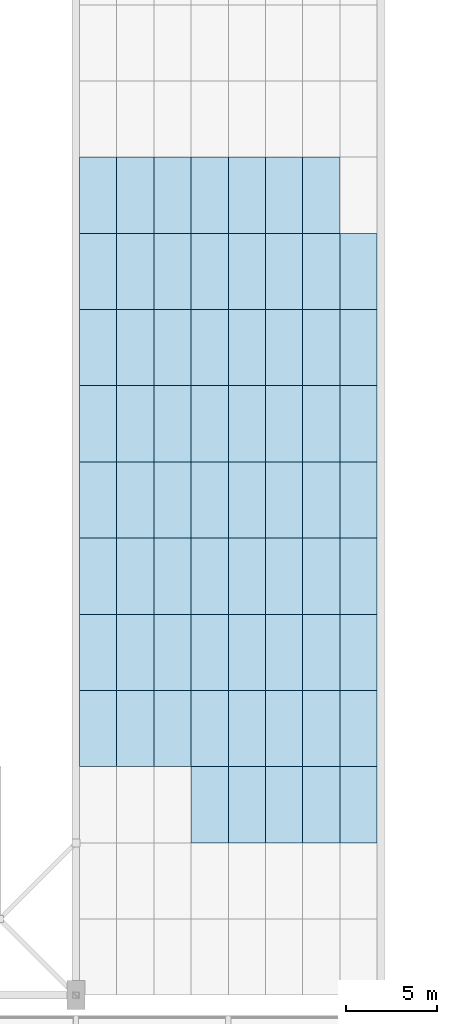
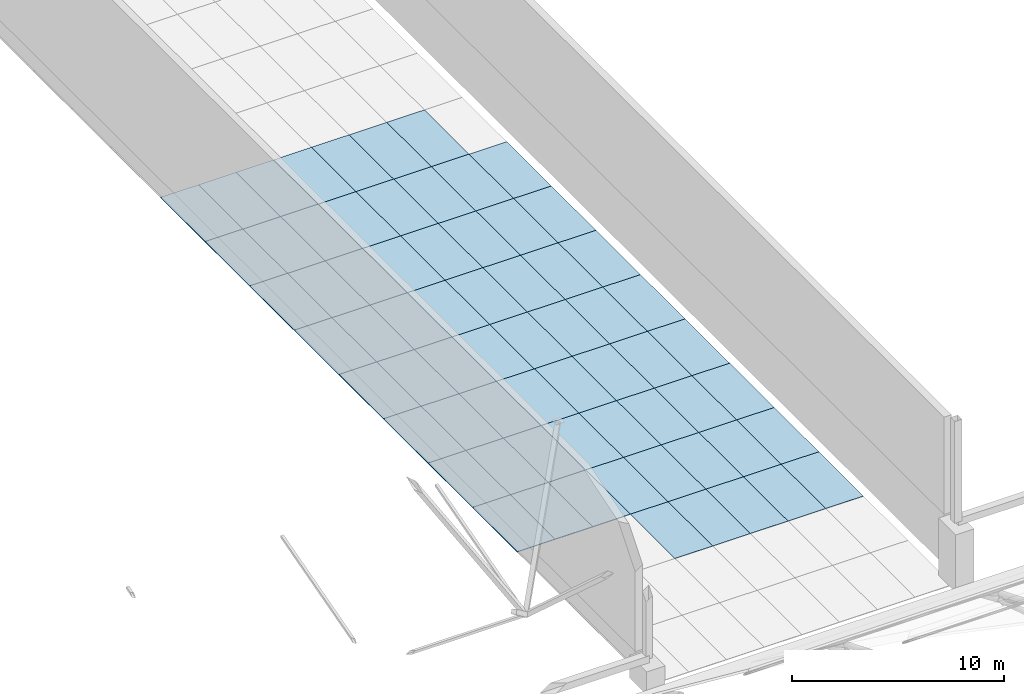
# One storey, part 101 of 163: 68 slabs.
"""IFC4 building model written with IfcOpenShell, lengths in metres."""

from ifc_helpers import new_model, si_unit, direction, frame, origin, place, context, subcontext, project, spatial, polyline, outline, extrude, material, layer, layer_set, type_object, element, save


model = new_model("IFC4")

# Units and contexts
model_context = context("Model", 3, precision=1e-05, world=origin(), true_north=direction((0.0, 1.0)))
body_context = subcontext(model_context, "Body", "Model", "MODEL_VIEW")
ifc_project = project(units=[si_unit("LENGTHUNIT", "METRE"), si_unit("AREAUNIT", "SQUARE_METRE"), si_unit("VOLUMEUNIT", "CUBIC_METRE"), si_unit("PLANEANGLEUNIT", "RADIAN"), si_unit("MASSUNIT", "GRAM", prefix="KILO")], contexts=[model_context])

# Site, building, storey
site_placement = place(None, origin())
site = spatial("IfcSite", under=ifc_project, at=site_placement, CompositionType="ELEMENT")
building_placement = place(site_placement, origin())
building = spatial("IfcBuilding", under=site, at=building_placement, Name="Rain Tree Exposition and Congress Centre", CompositionType="ELEMENT")
storey_placement = place(building_placement, frame((0.0, 0.0, 10.5)))
storey = spatial("IfcBuildingStorey", under=building, at=storey_placement, Name="L02", CompositionType="ELEMENT", Elevation=10.5)

# Slabs
ifc_material = material(Name="Glazing in S355 steel frame, S355J2H tubes", Category="steel")
ifc_layer = layer(ifc_material, 0.0400390625)
ifc_layer_set = layer_set([ifc_layer], Name="Glazing in S355 steel frame, S355J2H tubes")
slab_type = type_object("IfcSlabType", Name="Link roof glass panel 40", PredefinedType="ROOF", material=ifc_layer_set)
slab_1_placement = place(storey_placement, frame((0.0, 0.0, -0.185791015625)))
element("IfcSlab", 1, at=slab_1_placement, inside=storey, type_object=slab_type, Name="Link roof glass panel 20", PredefinedType="ROOF", context=body_context, shape_type="SweptSolid", body=[
    extrude(outline(polyline([(132.35009765625, 109.199951171875), (134.39990234375, 109.199951171875), (134.39990234375, 113.39990234375), (132.35009765625, 113.39990234375), (132.35009765625, 109.199951171875)])), origin(), (0.0, 0.0, 1.0), 0.0400390625),
])
slab_2_placement = place(storey_placement, frame((0.0, 0.0, -0.185791015625)))
element("IfcSlab", 2, at=slab_2_placement, inside=storey, type_object=slab_type, Name="Link roof glass panel 21", PredefinedType="ROOF", context=body_context, shape_type="SweptSolid", body=[
    extrude(outline(polyline([(134.39990234375, 109.199951171875), (136.449951171875, 109.199951171875), (136.449951171875, 113.39990234375), (134.39990234375, 113.39990234375), (134.39990234375, 109.199951171875)])), origin(), (0.0, 0.0, 1.0), 0.0400390625),
])
slab_3_placement = place(storey_placement, frame((0.0, 0.0, -0.185791015625)))
element("IfcSlab", 3, at=slab_3_placement, inside=storey, type_object=slab_type, Name="Link roof glass panel 22", PredefinedType="ROOF", context=body_context, shape_type="SweptSolid", body=[
    extrude(outline(polyline([(136.449951171875, 109.199951171875), (138.5, 109.199951171875), (138.5, 113.39990234375), (136.449951171875, 113.39990234375), (136.449951171875, 109.199951171875)])), origin(), (0.0, 0.0, 1.0), 0.0400390625),
])
slab_4_placement = place(storey_placement, frame((0.0, 0.0, -0.185791015625)))
element("IfcSlab", 4, at=slab_4_placement, inside=storey, type_object=slab_type, Name="Link roof glass panel 23", PredefinedType="ROOF", context=body_context, shape_type="SweptSolid", body=[
    extrude(outline(polyline([(138.5, 109.199951171875), (140.550048828125, 109.199951171875), (140.550048828125, 113.39990234375), (138.5, 113.39990234375), (138.5, 109.199951171875)])), origin(), (0.0, 0.0, 1.0), 0.0400390625),
])
slab_5_placement = place(storey_placement, frame((0.0, 0.0, -0.185791015625)))
element("IfcSlab", 5, at=slab_5_placement, inside=storey, type_object=slab_type, Name="Link roof glass panel 24", PredefinedType="ROOF", context=body_context, shape_type="SweptSolid", body=[
    extrude(outline(polyline([(140.550048828125, 109.199951171875), (142.60009765625, 109.199951171875), (142.60009765625, 113.39990234375), (140.550048828125, 113.39990234375), (140.550048828125, 109.199951171875)])), origin(), (0.0, 0.0, 1.0), 0.0400390625),
])
slab_6_placement = place(storey_placement, frame((0.0, 0.0, -0.185791015625)))
element("IfcSlab", 6, at=slab_6_placement, inside=storey, type_object=slab_type, Name="Link roof glass panel 25", PredefinedType="ROOF", context=body_context, shape_type="SweptSolid", body=[
    extrude(outline(polyline([(126.199951171875, 113.39990234375), (128.25, 113.39990234375), (128.25, 117.60009765625), (126.199951171875, 117.60009765625), (126.199951171875, 113.39990234375)])), origin(), (0.0, 0.0, 1.0), 0.0400390625),
])
slab_7_placement = place(storey_placement, frame((0.0, 0.0, -0.185791015625)))
element("IfcSlab", 7, at=slab_7_placement, inside=storey, type_object=slab_type, Name="Link roof glass panel 26", PredefinedType="ROOF", context=body_context, shape_type="SweptSolid", body=[
    extrude(outline(polyline([(128.25, 113.39990234375), (130.300048828125, 113.39990234375), (130.300048828125, 117.60009765625), (128.25, 117.60009765625), (128.25, 113.39990234375)])), origin(), (0.0, 0.0, 1.0), 0.0400390625),
])
slab_8_placement = place(storey_placement, frame((0.0, 0.0, -0.185791015625)))
element("IfcSlab", 8, at=slab_8_placement, inside=storey, type_object=slab_type, Name="Link roof glass panel 27", PredefinedType="ROOF", context=body_context, shape_type="SweptSolid", body=[
    extrude(outline(polyline([(130.300048828125, 113.39990234375), (132.35009765625, 113.39990234375), (132.35009765625, 117.60009765625), (130.300048828125, 117.60009765625), (130.300048828125, 113.39990234375)])), origin(), (0.0, 0.0, 1.0), 0.0400390625),
])
slab_9_placement = place(storey_placement, frame((0.0, 0.0, -0.185791015625)))
element("IfcSlab", 9, at=slab_9_placement, inside=storey, type_object=slab_type, Name="Link roof glass panel 28", PredefinedType="ROOF", context=body_context, shape_type="SweptSolid", body=[
    extrude(outline(polyline([(132.35009765625, 113.39990234375), (134.39990234375, 113.39990234375), (134.39990234375, 117.60009765625), (132.35009765625, 117.60009765625), (132.35009765625, 113.39990234375)])), origin(), (0.0, 0.0, 1.0), 0.0400390625),
])
slab_10_placement = place(storey_placement, frame((0.0, 0.0, -0.185791015625)))
element("IfcSlab", 10, at=slab_10_placement, inside=storey, type_object=slab_type, Name="Link roof glass panel 29", PredefinedType="ROOF", context=body_context, shape_type="SweptSolid", body=[
    extrude(outline(polyline([(134.39990234375, 113.39990234375), (136.449951171875, 113.39990234375), (136.449951171875, 117.60009765625), (134.39990234375, 117.60009765625), (134.39990234375, 113.39990234375)])), origin(), (0.0, 0.0, 1.0), 0.0400390625),
])
slab_11_placement = place(storey_placement, frame((0.0, 0.0, -0.185791015625)))
element("IfcSlab", 11, at=slab_11_placement, inside=storey, type_object=slab_type, Name="Link roof glass panel 30", PredefinedType="ROOF", context=body_context, shape_type="SweptSolid", body=[
    extrude(outline(polyline([(136.449951171875, 113.39990234375), (138.5, 113.39990234375), (138.5, 117.60009765625), (136.449951171875, 117.60009765625), (136.449951171875, 113.39990234375)])), origin(), (0.0, 0.0, 1.0), 0.0400390625),
])
slab_12_placement = place(storey_placement, frame((0.0, 0.0, -0.185791015625)))
element("IfcSlab", 12, at=slab_12_placement, inside=storey, type_object=slab_type, Name="Link roof glass panel 31", PredefinedType="ROOF", context=body_context, shape_type="SweptSolid", body=[
    extrude(outline(polyline([(138.5, 113.39990234375), (140.550048828125, 113.39990234375), (140.550048828125, 117.60009765625), (138.5, 117.60009765625), (138.5, 113.39990234375)])), origin(), (0.0, 0.0, 1.0), 0.0400390625),
])
slab_13_placement = place(storey_placement, frame((0.0, 0.0, -0.185791015625)))
element("IfcSlab", 13, at=slab_13_placement, inside=storey, type_object=slab_type, Name="Link roof glass panel 32", PredefinedType="ROOF", context=body_context, shape_type="SweptSolid", body=[
    extrude(outline(polyline([(140.550048828125, 113.39990234375), (142.60009765625, 113.39990234375), (142.60009765625, 117.60009765625), (140.550048828125, 117.60009765625), (140.550048828125, 113.39990234375)])), origin(), (0.0, 0.0, 1.0), 0.0400390625),
])
slab_14_placement = place(storey_placement, frame((0.0, 0.0, -0.185791015625)))
element("IfcSlab", 14, at=slab_14_placement, inside=storey, type_object=slab_type, Name="Link roof glass panel 33", PredefinedType="ROOF", context=body_context, shape_type="SweptSolid", body=[
    extrude(outline(polyline([(126.199951171875, 117.60009765625), (128.25, 117.60009765625), (128.25, 121.800048828125), (126.199951171875, 121.800048828125), (126.199951171875, 117.60009765625)])), origin(), (0.0, 0.0, 1.0), 0.0400390625),
])
slab_15_placement = place(storey_placement, frame((0.0, 0.0, -0.185791015625)))
element("IfcSlab", 15, at=slab_15_placement, inside=storey, type_object=slab_type, Name="Link roof glass panel 34", PredefinedType="ROOF", context=body_context, shape_type="SweptSolid", body=[
    extrude(outline(polyline([(128.25, 117.60009765625), (130.300048828125, 117.60009765625), (130.300048828125, 121.800048828125), (128.25, 121.800048828125), (128.25, 117.60009765625)])), origin(), (0.0, 0.0, 1.0), 0.0400390625),
])
slab_16_placement = place(storey_placement, frame((0.0, 0.0, -0.185791015625)))
element("IfcSlab", 16, at=slab_16_placement, inside=storey, type_object=slab_type, Name="Link roof glass panel 35", PredefinedType="ROOF", context=body_context, shape_type="SweptSolid", body=[
    extrude(outline(polyline([(130.300048828125, 117.60009765625), (132.35009765625, 117.60009765625), (132.35009765625, 121.800048828125), (130.300048828125, 121.800048828125), (130.300048828125, 117.60009765625)])), origin(), (0.0, 0.0, 1.0), 0.0400390625),
])
slab_17_placement = place(storey_placement, frame((0.0, 0.0, -0.185791015625)))
element("IfcSlab", 17, at=slab_17_placement, inside=storey, type_object=slab_type, Name="Link roof glass panel 36", PredefinedType="ROOF", context=body_context, shape_type="SweptSolid", body=[
    extrude(outline(polyline([(132.35009765625, 117.60009765625), (134.39990234375, 117.60009765625), (134.39990234375, 121.800048828125), (132.35009765625, 121.800048828125), (132.35009765625, 117.60009765625)])), origin(), (0.0, 0.0, 1.0), 0.0400390625),
])
slab_18_placement = place(storey_placement, frame((0.0, 0.0, -0.185791015625)))
element("IfcSlab", 18, at=slab_18_placement, inside=storey, type_object=slab_type, Name="Link roof glass panel 37", PredefinedType="ROOF", context=body_context, shape_type="SweptSolid", body=[
    extrude(outline(polyline([(134.39990234375, 117.60009765625), (136.449951171875, 117.60009765625), (136.449951171875, 121.800048828125), (134.39990234375, 121.800048828125), (134.39990234375, 117.60009765625)])), origin(), (0.0, 0.0, 1.0), 0.0400390625),
])
slab_19_placement = place(storey_placement, frame((0.0, 0.0, -0.185791015625)))
element("IfcSlab", 19, at=slab_19_placement, inside=storey, type_object=slab_type, Name="Link roof glass panel 38", PredefinedType="ROOF", context=body_context, shape_type="SweptSolid", body=[
    extrude(outline(polyline([(136.449951171875, 117.60009765625), (138.5, 117.60009765625), (138.5, 121.800048828125), (136.449951171875, 121.800048828125), (136.449951171875, 117.60009765625)])), origin(), (0.0, 0.0, 1.0), 0.0400390625),
])
slab_20_placement = place(storey_placement, frame((0.0, 0.0, -0.185791015625)))
element("IfcSlab", 20, at=slab_20_placement, inside=storey, type_object=slab_type, Name="Link roof glass panel 39", PredefinedType="ROOF", context=body_context, shape_type="SweptSolid", body=[
    extrude(outline(polyline([(138.5, 117.60009765625), (140.550048828125, 117.60009765625), (140.550048828125, 121.800048828125), (138.5, 121.800048828125), (138.5, 117.60009765625)])), origin(), (0.0, 0.0, 1.0), 0.0400390625),
])
slab_21_placement = place(storey_placement, frame((0.0, 0.0, -0.185791015625)))
element("IfcSlab", 21, at=slab_21_placement, inside=storey, type_object=slab_type, Name="Link roof glass panel 40", PredefinedType="ROOF", context=body_context, shape_type="SweptSolid", body=[
    extrude(outline(polyline([(140.550048828125, 117.60009765625), (142.60009765625, 117.60009765625), (142.60009765625, 121.800048828125), (140.550048828125, 121.800048828125), (140.550048828125, 117.60009765625)])), origin(), (0.0, 0.0, 1.0), 0.0400390625),
])
slab_22_placement = place(storey_placement, frame((0.0, 0.0, -0.185791015625)))
element("IfcSlab", 22, at=slab_22_placement, inside=storey, type_object=slab_type, Name="Link roof glass panel 41", PredefinedType="ROOF", context=body_context, shape_type="SweptSolid", body=[
    extrude(outline(polyline([(126.199951171875, 121.800048828125), (128.25, 121.800048828125), (128.25, 126.0), (126.199951171875, 126.0), (126.199951171875, 121.800048828125)])), origin(), (0.0, 0.0, 1.0), 0.0400390625),
])
slab_23_placement = place(storey_placement, frame((0.0, 0.0, -0.185791015625)))
element("IfcSlab", 23, at=slab_23_placement, inside=storey, type_object=slab_type, Name="Link roof glass panel 42", PredefinedType="ROOF", context=body_context, shape_type="SweptSolid", body=[
    extrude(outline(polyline([(128.25, 121.800048828125), (130.300048828125, 121.800048828125), (130.300048828125, 126.0), (128.25, 126.0), (128.25, 121.800048828125)])), origin(), (0.0, 0.0, 1.0), 0.0400390625),
])
slab_24_placement = place(storey_placement, frame((0.0, 0.0, -0.185791015625)))
element("IfcSlab", 24, at=slab_24_placement, inside=storey, type_object=slab_type, Name="Link roof glass panel 43", PredefinedType="ROOF", context=body_context, shape_type="SweptSolid", body=[
    extrude(outline(polyline([(130.300048828125, 121.800048828125), (132.35009765625, 121.800048828125), (132.35009765625, 126.0), (130.300048828125, 126.0), (130.300048828125, 121.800048828125)])), origin(), (0.0, 0.0, 1.0), 0.0400390625),
])
slab_25_placement = place(storey_placement, frame((0.0, 0.0, -0.185791015625)))
element("IfcSlab", 25, at=slab_25_placement, inside=storey, type_object=slab_type, Name="Link roof glass panel 44", PredefinedType="ROOF", context=body_context, shape_type="SweptSolid", body=[
    extrude(outline(polyline([(132.35009765625, 121.800048828125), (134.39990234375, 121.800048828125), (134.39990234375, 126.0), (132.35009765625, 126.0), (132.35009765625, 121.800048828125)])), origin(), (0.0, 0.0, 1.0), 0.0400390625),
])
slab_26_placement = place(storey_placement, frame((0.0, 0.0, -0.185791015625)))
element("IfcSlab", 26, at=slab_26_placement, inside=storey, type_object=slab_type, Name="Link roof glass panel 45", PredefinedType="ROOF", context=body_context, shape_type="SweptSolid", body=[
    extrude(outline(polyline([(134.39990234375, 121.800048828125), (136.449951171875, 121.800048828125), (136.449951171875, 126.0), (134.39990234375, 126.0), (134.39990234375, 121.800048828125)])), origin(), (0.0, 0.0, 1.0), 0.0400390625),
])
slab_27_placement = place(storey_placement, frame((0.0, 0.0, -0.185791015625)))
element("IfcSlab", 27, at=slab_27_placement, inside=storey, type_object=slab_type, Name="Link roof glass panel 46", PredefinedType="ROOF", context=body_context, shape_type="SweptSolid", body=[
    extrude(outline(polyline([(136.449951171875, 121.800048828125), (138.5, 121.800048828125), (138.5, 126.0), (136.449951171875, 126.0), (136.449951171875, 121.800048828125)])), origin(), (0.0, 0.0, 1.0), 0.0400390625),
])
slab_28_placement = place(storey_placement, frame((0.0, 0.0, -0.185791015625)))
element("IfcSlab", 28, at=slab_28_placement, inside=storey, type_object=slab_type, Name="Link roof glass panel 47", PredefinedType="ROOF", context=body_context, shape_type="SweptSolid", body=[
    extrude(outline(polyline([(138.5, 121.800048828125), (140.550048828125, 121.800048828125), (140.550048828125, 126.0), (138.5, 126.0), (138.5, 121.800048828125)])), origin(), (0.0, 0.0, 1.0), 0.0400390625),
])
slab_29_placement = place(storey_placement, frame((0.0, 0.0, -0.185791015625)))
element("IfcSlab", 29, at=slab_29_placement, inside=storey, type_object=slab_type, Name="Link roof glass panel 48", PredefinedType="ROOF", context=body_context, shape_type="SweptSolid", body=[
    extrude(outline(polyline([(140.550048828125, 121.800048828125), (142.60009765625, 121.800048828125), (142.60009765625, 126.0), (140.550048828125, 126.0), (140.550048828125, 121.800048828125)])), origin(), (0.0, 0.0, 1.0), 0.0400390625),
])
slab_30_placement = place(storey_placement, frame((0.0, 0.0, -0.185791015625)))
element("IfcSlab", 30, at=slab_30_placement, inside=storey, type_object=slab_type, Name="Link roof glass panel 49", PredefinedType="ROOF", context=body_context, shape_type="SweptSolid", body=[
    extrude(outline(polyline([(126.199951171875, 126.0), (128.25, 126.0), (128.25, 130.199951171875), (126.199951171875, 130.199951171875), (126.199951171875, 126.0)])), origin(), (0.0, 0.0, 1.0), 0.0400390625),
])
slab_31_placement = place(storey_placement, frame((0.0, 0.0, -0.185791015625)))
element("IfcSlab", 31, at=slab_31_placement, inside=storey, type_object=slab_type, Name="Link roof glass panel 50", PredefinedType="ROOF", context=body_context, shape_type="SweptSolid", body=[
    extrude(outline(polyline([(128.25, 126.0), (130.300048828125, 126.0), (130.300048828125, 130.199951171875), (128.25, 130.199951171875), (128.25, 126.0)])), origin(), (0.0, 0.0, 1.0), 0.0400390625),
])
slab_32_placement = place(storey_placement, frame((0.0, 0.0, -0.185791015625)))
element("IfcSlab", 32, at=slab_32_placement, inside=storey, type_object=slab_type, Name="Link roof glass panel 51", PredefinedType="ROOF", context=body_context, shape_type="SweptSolid", body=[
    extrude(outline(polyline([(130.300048828125, 126.0), (132.35009765625, 126.0), (132.35009765625, 130.199951171875), (130.300048828125, 130.199951171875), (130.300048828125, 126.0)])), origin(), (0.0, 0.0, 1.0), 0.0400390625),
])
slab_33_placement = place(storey_placement, frame((0.0, 0.0, -0.185791015625)))
element("IfcSlab", 33, at=slab_33_placement, inside=storey, type_object=slab_type, Name="Link roof glass panel 52", PredefinedType="ROOF", context=body_context, shape_type="SweptSolid", body=[
    extrude(outline(polyline([(132.35009765625, 126.0), (134.39990234375, 126.0), (134.39990234375, 130.199951171875), (132.35009765625, 130.199951171875), (132.35009765625, 126.0)])), origin(), (0.0, 0.0, 1.0), 0.0400390625),
])
slab_34_placement = place(storey_placement, frame((0.0, 0.0, -0.185791015625)))
element("IfcSlab", 34, at=slab_34_placement, inside=storey, type_object=slab_type, Name="Link roof glass panel 53", PredefinedType="ROOF", context=body_context, shape_type="SweptSolid", body=[
    extrude(outline(polyline([(134.39990234375, 126.0), (136.449951171875, 126.0), (136.449951171875, 130.199951171875), (134.39990234375, 130.199951171875), (134.39990234375, 126.0)])), origin(), (0.0, 0.0, 1.0), 0.0400390625),
])
slab_35_placement = place(storey_placement, frame((0.0, 0.0, -0.185791015625)))
element("IfcSlab", 35, at=slab_35_placement, inside=storey, type_object=slab_type, Name="Link roof glass panel 54", PredefinedType="ROOF", context=body_context, shape_type="SweptSolid", body=[
    extrude(outline(polyline([(136.449951171875, 126.0), (138.5, 126.0), (138.5, 130.199951171875), (136.449951171875, 130.199951171875), (136.449951171875, 126.0)])), origin(), (0.0, 0.0, 1.0), 0.0400390625),
])
slab_36_placement = place(storey_placement, frame((0.0, 0.0, -0.185791015625)))
element("IfcSlab", 36, at=slab_36_placement, inside=storey, type_object=slab_type, Name="Link roof glass panel 55", PredefinedType="ROOF", context=body_context, shape_type="SweptSolid", body=[
    extrude(outline(polyline([(138.5, 126.0), (140.550048828125, 126.0), (140.550048828125, 130.199951171875), (138.5, 130.199951171875), (138.5, 126.0)])), origin(), (0.0, 0.0, 1.0), 0.0400390625),
])
slab_37_placement = place(storey_placement, frame((0.0, 0.0, -0.185791015625)))
element("IfcSlab", 37, at=slab_37_placement, inside=storey, type_object=slab_type, Name="Link roof glass panel 56", PredefinedType="ROOF", context=body_context, shape_type="SweptSolid", body=[
    extrude(outline(polyline([(140.550048828125, 126.0), (142.60009765625, 126.0), (142.60009765625, 130.199951171875), (140.550048828125, 130.199951171875), (140.550048828125, 126.0)])), origin(), (0.0, 0.0, 1.0), 0.0400390625),
])
slab_38_placement = place(storey_placement, frame((0.0, 0.0, -0.185791015625)))
element("IfcSlab", 38, at=slab_38_placement, inside=storey, type_object=slab_type, Name="Link roof glass panel 57", PredefinedType="ROOF", context=body_context, shape_type="SweptSolid", body=[
    extrude(outline(polyline([(126.199951171875, 130.199951171875), (128.25, 130.199951171875), (128.25, 134.39990234375), (126.199951171875, 134.39990234375), (126.199951171875, 130.199951171875)])), origin(), (0.0, 0.0, 1.0), 0.0400390625),
])
slab_39_placement = place(storey_placement, frame((0.0, 0.0, -0.185791015625)))
element("IfcSlab", 39, at=slab_39_placement, inside=storey, type_object=slab_type, Name="Link roof glass panel 58", PredefinedType="ROOF", context=body_context, shape_type="SweptSolid", body=[
    extrude(outline(polyline([(128.25, 130.199951171875), (130.300048828125, 130.199951171875), (130.300048828125, 134.39990234375), (128.25, 134.39990234375), (128.25, 130.199951171875)])), origin(), (0.0, 0.0, 1.0), 0.0400390625),
])
slab_40_placement = place(storey_placement, frame((0.0, 0.0, -0.185791015625)))
element("IfcSlab", 40, at=slab_40_placement, inside=storey, type_object=slab_type, Name="Link roof glass panel 59", PredefinedType="ROOF", context=body_context, shape_type="SweptSolid", body=[
    extrude(outline(polyline([(130.300048828125, 130.199951171875), (132.35009765625, 130.199951171875), (132.35009765625, 134.39990234375), (130.300048828125, 134.39990234375), (130.300048828125, 130.199951171875)])), origin(), (0.0, 0.0, 1.0), 0.0400390625),
])
slab_41_placement = place(storey_placement, frame((0.0, 0.0, -0.185791015625)))
element("IfcSlab", 41, at=slab_41_placement, inside=storey, type_object=slab_type, Name="Link roof glass panel 60", PredefinedType="ROOF", context=body_context, shape_type="SweptSolid", body=[
    extrude(outline(polyline([(132.35009765625, 130.199951171875), (134.39990234375, 130.199951171875), (134.39990234375, 134.39990234375), (132.35009765625, 134.39990234375), (132.35009765625, 130.199951171875)])), origin(), (0.0, 0.0, 1.0), 0.0400390625),
])
slab_42_placement = place(storey_placement, frame((0.0, 0.0, -0.185791015625)))
element("IfcSlab", 42, at=slab_42_placement, inside=storey, type_object=slab_type, Name="Link roof glass panel 61", PredefinedType="ROOF", context=body_context, shape_type="SweptSolid", body=[
    extrude(outline(polyline([(134.39990234375, 130.199951171875), (136.449951171875, 130.199951171875), (136.449951171875, 134.39990234375), (134.39990234375, 134.39990234375), (134.39990234375, 130.199951171875)])), origin(), (0.0, 0.0, 1.0), 0.0400390625),
])
slab_43_placement = place(storey_placement, frame((0.0, 0.0, -0.185791015625)))
element("IfcSlab", 43, at=slab_43_placement, inside=storey, type_object=slab_type, Name="Link roof glass panel 62", PredefinedType="ROOF", context=body_context, shape_type="SweptSolid", body=[
    extrude(outline(polyline([(136.449951171875, 130.199951171875), (138.5, 130.199951171875), (138.5, 134.39990234375), (136.449951171875, 134.39990234375), (136.449951171875, 130.199951171875)])), origin(), (0.0, 0.0, 1.0), 0.0400390625),
])
slab_44_placement = place(storey_placement, frame((0.0, 0.0, -0.185791015625)))
element("IfcSlab", 44, at=slab_44_placement, inside=storey, type_object=slab_type, Name="Link roof glass panel 63", PredefinedType="ROOF", context=body_context, shape_type="SweptSolid", body=[
    extrude(outline(polyline([(138.5, 130.199951171875), (140.550048828125, 130.199951171875), (140.550048828125, 134.39990234375), (138.5, 134.39990234375), (138.5, 130.199951171875)])), origin(), (0.0, 0.0, 1.0), 0.0400390625),
])
slab_45_placement = place(storey_placement, frame((0.0, 0.0, -0.185791015625)))
element("IfcSlab", 45, at=slab_45_placement, inside=storey, type_object=slab_type, Name="Link roof glass panel 64", PredefinedType="ROOF", context=body_context, shape_type="SweptSolid", body=[
    extrude(outline(polyline([(140.550048828125, 130.199951171875), (142.60009765625, 130.199951171875), (142.60009765625, 134.39990234375), (140.550048828125, 134.39990234375), (140.550048828125, 130.199951171875)])), origin(), (0.0, 0.0, 1.0), 0.0400390625),
])
slab_46_placement = place(storey_placement, frame((0.0, 0.0, -0.185791015625)))
element("IfcSlab", 46, at=slab_46_placement, inside=storey, type_object=slab_type, Name="Link roof glass panel 65", PredefinedType="ROOF", context=body_context, shape_type="SweptSolid", body=[
    extrude(outline(polyline([(126.199951171875, 134.39990234375), (128.25, 134.39990234375), (128.25, 138.60009765625), (126.199951171875, 138.60009765625), (126.199951171875, 134.39990234375)])), origin(), (0.0, 0.0, 1.0), 0.0400390625),
])
slab_47_placement = place(storey_placement, frame((0.0, 0.0, -0.185791015625)))
element("IfcSlab", 47, at=slab_47_placement, inside=storey, type_object=slab_type, Name="Link roof glass panel 66", PredefinedType="ROOF", context=body_context, shape_type="SweptSolid", body=[
    extrude(outline(polyline([(128.25, 134.39990234375), (130.300048828125, 134.39990234375), (130.300048828125, 138.60009765625), (128.25, 138.60009765625), (128.25, 134.39990234375)])), origin(), (0.0, 0.0, 1.0), 0.0400390625),
])
slab_48_placement = place(storey_placement, frame((0.0, 0.0, -0.185791015625)))
element("IfcSlab", 48, at=slab_48_placement, inside=storey, type_object=slab_type, Name="Link roof glass panel 67", PredefinedType="ROOF", context=body_context, shape_type="SweptSolid", body=[
    extrude(outline(polyline([(130.300048828125, 134.39990234375), (132.35009765625, 134.39990234375), (132.35009765625, 138.60009765625), (130.300048828125, 138.60009765625), (130.300048828125, 134.39990234375)])), origin(), (0.0, 0.0, 1.0), 0.0400390625),
])
slab_49_placement = place(storey_placement, frame((0.0, 0.0, -0.185791015625)))
element("IfcSlab", 49, at=slab_49_placement, inside=storey, type_object=slab_type, Name="Link roof glass panel 68", PredefinedType="ROOF", context=body_context, shape_type="SweptSolid", body=[
    extrude(outline(polyline([(132.35009765625, 134.39990234375), (134.39990234375, 134.39990234375), (134.39990234375, 138.60009765625), (132.35009765625, 138.60009765625), (132.35009765625, 134.39990234375)])), origin(), (0.0, 0.0, 1.0), 0.0400390625),
])
slab_50_placement = place(storey_placement, frame((0.0, 0.0, -0.185791015625)))
element("IfcSlab", 50, at=slab_50_placement, inside=storey, type_object=slab_type, Name="Link roof glass panel 69", PredefinedType="ROOF", context=body_context, shape_type="SweptSolid", body=[
    extrude(outline(polyline([(134.39990234375, 134.39990234375), (136.449951171875, 134.39990234375), (136.449951171875, 138.60009765625), (134.39990234375, 138.60009765625), (134.39990234375, 134.39990234375)])), origin(), (0.0, 0.0, 1.0), 0.0400390625),
])
slab_51_placement = place(storey_placement, frame((0.0, 0.0, -0.185791015625)))
element("IfcSlab", 51, at=slab_51_placement, inside=storey, type_object=slab_type, Name="Link roof glass panel 70", PredefinedType="ROOF", context=body_context, shape_type="SweptSolid", body=[
    extrude(outline(polyline([(136.449951171875, 134.39990234375), (138.5, 134.39990234375), (138.5, 138.60009765625), (136.449951171875, 138.60009765625), (136.449951171875, 134.39990234375)])), origin(), (0.0, 0.0, 1.0), 0.0400390625),
])
slab_52_placement = place(storey_placement, frame((0.0, 0.0, -0.185791015625)))
element("IfcSlab", 52, at=slab_52_placement, inside=storey, type_object=slab_type, Name="Link roof glass panel 71", PredefinedType="ROOF", context=body_context, shape_type="SweptSolid", body=[
    extrude(outline(polyline([(138.5, 134.39990234375), (140.550048828125, 134.39990234375), (140.550048828125, 138.60009765625), (138.5, 138.60009765625), (138.5, 134.39990234375)])), origin(), (0.0, 0.0, 1.0), 0.0400390625),
])
slab_53_placement = place(storey_placement, frame((0.0, 0.0, -0.185791015625)))
element("IfcSlab", 53, at=slab_53_placement, inside=storey, type_object=slab_type, Name="Link roof glass panel 72", PredefinedType="ROOF", context=body_context, shape_type="SweptSolid", body=[
    extrude(outline(polyline([(140.550048828125, 134.39990234375), (142.60009765625, 134.39990234375), (142.60009765625, 138.60009765625), (140.550048828125, 138.60009765625), (140.550048828125, 134.39990234375)])), origin(), (0.0, 0.0, 1.0), 0.0400390625),
])
slab_54_placement = place(storey_placement, frame((0.0, 0.0, -0.185791015625)))
element("IfcSlab", 54, at=slab_54_placement, inside=storey, type_object=slab_type, Name="Link roof glass panel 73", PredefinedType="ROOF", context=body_context, shape_type="SweptSolid", body=[
    extrude(outline(polyline([(126.199951171875, 138.60009765625), (128.25, 138.60009765625), (128.25, 142.800048828125), (126.199951171875, 142.800048828125), (126.199951171875, 138.60009765625)])), origin(), (0.0, 0.0, 1.0), 0.0400390625),
])
slab_55_placement = place(storey_placement, frame((0.0, 0.0, -0.185791015625)))
element("IfcSlab", 55, at=slab_55_placement, inside=storey, type_object=slab_type, Name="Link roof glass panel 74", PredefinedType="ROOF", context=body_context, shape_type="SweptSolid", body=[
    extrude(outline(polyline([(128.25, 138.60009765625), (130.300048828125, 138.60009765625), (130.300048828125, 142.800048828125), (128.25, 142.800048828125), (128.25, 138.60009765625)])), origin(), (0.0, 0.0, 1.0), 0.0400390625),
])
slab_56_placement = place(storey_placement, frame((0.0, 0.0, -0.185791015625)))
element("IfcSlab", 56, at=slab_56_placement, inside=storey, type_object=slab_type, Name="Link roof glass panel 75", PredefinedType="ROOF", context=body_context, shape_type="SweptSolid", body=[
    extrude(outline(polyline([(130.300048828125, 138.60009765625), (132.35009765625, 138.60009765625), (132.35009765625, 142.800048828125), (130.300048828125, 142.800048828125), (130.300048828125, 138.60009765625)])), origin(), (0.0, 0.0, 1.0), 0.0400390625),
])
slab_57_placement = place(storey_placement, frame((0.0, 0.0, -0.185791015625)))
element("IfcSlab", 57, at=slab_57_placement, inside=storey, type_object=slab_type, Name="Link roof glass panel 76", PredefinedType="ROOF", context=body_context, shape_type="SweptSolid", body=[
    extrude(outline(polyline([(132.35009765625, 138.60009765625), (134.39990234375, 138.60009765625), (134.39990234375, 142.800048828125), (132.35009765625, 142.800048828125), (132.35009765625, 138.60009765625)])), origin(), (0.0, 0.0, 1.0), 0.0400390625),
])
slab_58_placement = place(storey_placement, frame((0.0, 0.0, -0.185791015625)))
element("IfcSlab", 58, at=slab_58_placement, inside=storey, type_object=slab_type, Name="Link roof glass panel 77", PredefinedType="ROOF", context=body_context, shape_type="SweptSolid", body=[
    extrude(outline(polyline([(134.39990234375, 138.60009765625), (136.449951171875, 138.60009765625), (136.449951171875, 142.800048828125), (134.39990234375, 142.800048828125), (134.39990234375, 138.60009765625)])), origin(), (0.0, 0.0, 1.0), 0.0400390625),
])
slab_59_placement = place(storey_placement, frame((0.0, 0.0, -0.185791015625)))
element("IfcSlab", 59, at=slab_59_placement, inside=storey, type_object=slab_type, Name="Link roof glass panel 78", PredefinedType="ROOF", context=body_context, shape_type="SweptSolid", body=[
    extrude(outline(polyline([(136.449951171875, 138.60009765625), (138.5, 138.60009765625), (138.5, 142.800048828125), (136.449951171875, 142.800048828125), (136.449951171875, 138.60009765625)])), origin(), (0.0, 0.0, 1.0), 0.0400390625),
])
slab_60_placement = place(storey_placement, frame((0.0, 0.0, -0.185791015625)))
element("IfcSlab", 60, at=slab_60_placement, inside=storey, type_object=slab_type, Name="Link roof glass panel 79", PredefinedType="ROOF", context=body_context, shape_type="SweptSolid", body=[
    extrude(outline(polyline([(138.5, 138.60009765625), (140.550048828125, 138.60009765625), (140.550048828125, 142.800048828125), (138.5, 142.800048828125), (138.5, 138.60009765625)])), origin(), (0.0, 0.0, 1.0), 0.0400390625),
])
slab_61_placement = place(storey_placement, frame((0.0, 0.0, -0.185791015625)))
element("IfcSlab", 61, at=slab_61_placement, inside=storey, type_object=slab_type, Name="Link roof glass panel 80", PredefinedType="ROOF", context=body_context, shape_type="SweptSolid", body=[
    extrude(outline(polyline([(140.550048828125, 138.60009765625), (142.60009765625, 138.60009765625), (142.60009765625, 142.800048828125), (140.550048828125, 142.800048828125), (140.550048828125, 138.60009765625)])), origin(), (0.0, 0.0, 1.0), 0.0400390625),
])
slab_62_placement = place(storey_placement, frame((0.0, 0.0, -0.185791015625)))
element("IfcSlab", 62, at=slab_62_placement, inside=storey, type_object=slab_type, Name="Link roof glass panel 81", PredefinedType="ROOF", context=body_context, shape_type="SweptSolid", body=[
    extrude(outline(polyline([(126.199951171875, 142.800048828125), (128.25, 142.800048828125), (128.25, 147.0), (126.199951171875, 147.0), (126.199951171875, 142.800048828125)])), origin(), (0.0, 0.0, 1.0), 0.0400390625),
])
slab_63_placement = place(storey_placement, frame((0.0, 0.0, -0.185791015625)))
element("IfcSlab", 63, at=slab_63_placement, inside=storey, type_object=slab_type, Name="Link roof glass panel 82", PredefinedType="ROOF", context=body_context, shape_type="SweptSolid", body=[
    extrude(outline(polyline([(128.25, 142.800048828125), (130.300048828125, 142.800048828125), (130.300048828125, 147.0), (128.25, 147.0), (128.25, 142.800048828125)])), origin(), (0.0, 0.0, 1.0), 0.0400390625),
])
slab_64_placement = place(storey_placement, frame((0.0, 0.0, -0.185791015625)))
element("IfcSlab", 64, at=slab_64_placement, inside=storey, type_object=slab_type, Name="Link roof glass panel 83", PredefinedType="ROOF", context=body_context, shape_type="SweptSolid", body=[
    extrude(outline(polyline([(130.300048828125, 142.800048828125), (132.35009765625, 142.800048828125), (132.35009765625, 147.0), (130.300048828125, 147.0), (130.300048828125, 142.800048828125)])), origin(), (0.0, 0.0, 1.0), 0.0400390625),
])
slab_65_placement = place(storey_placement, frame((0.0, 0.0, -0.185791015625)))
element("IfcSlab", 65, at=slab_65_placement, inside=storey, type_object=slab_type, Name="Link roof glass panel 84", PredefinedType="ROOF", context=body_context, shape_type="SweptSolid", body=[
    extrude(outline(polyline([(132.35009765625, 142.800048828125), (134.39990234375, 142.800048828125), (134.39990234375, 147.0), (132.35009765625, 147.0), (132.35009765625, 142.800048828125)])), origin(), (0.0, 0.0, 1.0), 0.0400390625),
])
slab_66_placement = place(storey_placement, frame((0.0, 0.0, -0.185791015625)))
element("IfcSlab", 66, at=slab_66_placement, inside=storey, type_object=slab_type, Name="Link roof glass panel 85", PredefinedType="ROOF", context=body_context, shape_type="SweptSolid", body=[
    extrude(outline(polyline([(134.39990234375, 142.800048828125), (136.449951171875, 142.800048828125), (136.449951171875, 147.0), (134.39990234375, 147.0), (134.39990234375, 142.800048828125)])), origin(), (0.0, 0.0, 1.0), 0.0400390625),
])
slab_67_placement = place(storey_placement, frame((0.0, 0.0, -0.185791015625)))
element("IfcSlab", 67, at=slab_67_placement, inside=storey, type_object=slab_type, Name="Link roof glass panel 86", PredefinedType="ROOF", context=body_context, shape_type="SweptSolid", body=[
    extrude(outline(polyline([(136.449951171875, 142.800048828125), (138.5, 142.800048828125), (138.5, 147.0), (136.449951171875, 147.0), (136.449951171875, 142.800048828125)])), origin(), (0.0, 0.0, 1.0), 0.0400390625),
])
slab_68_placement = place(storey_placement, frame((0.0, 0.0, -0.185791015625)))
element("IfcSlab", 68, at=slab_68_placement, inside=storey, type_object=slab_type, Name="Link roof glass panel 87", PredefinedType="ROOF", context=body_context, shape_type="SweptSolid", body=[
    extrude(outline(polyline([(138.5, 142.800048828125), (140.550048828125, 142.800048828125), (140.550048828125, 147.0), (138.5, 147.0), (138.5, 142.800048828125)])), origin(), (0.0, 0.0, 1.0), 0.0400390625),
])

save(model, "model.ifc")
